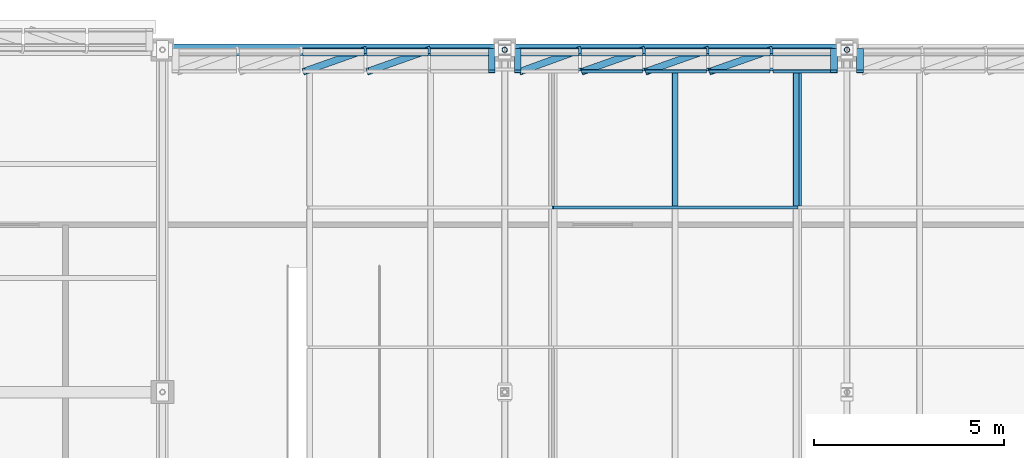
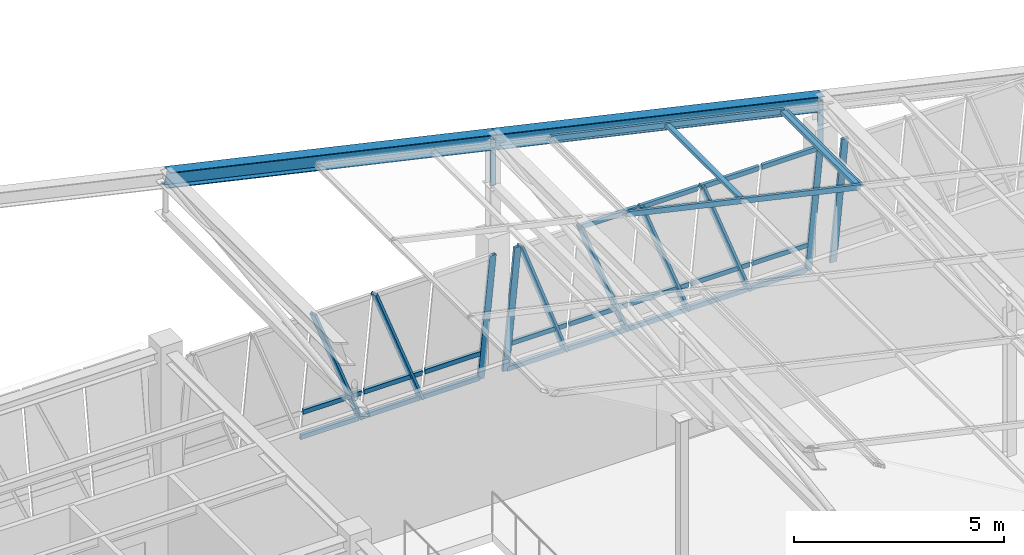
# One storey, part 78 of 130: 39 members, 5 elements without a shape of their own.
"""IFC4 building model written with IfcOpenShell, lengths in metres."""

from ifc_helpers import new_model, si_unit, direction, frame, origin, origin_2d, place, context, subcontext, project, spatial, hollow_rectangle, hollow_circle, i_section, extrude, material, material_profile, profile_set, type_object, element, aggregate, save


model = new_model("IFC4")

# Units and contexts
model_context = context("Model", 3, precision=1e-05, world=origin(), true_north=direction((0.0, 1.0)))
body_context = subcontext(model_context, "Body", "Model", "MODEL_VIEW")
ifc_project = project(units=[si_unit("LENGTHUNIT", "METRE"), si_unit("AREAUNIT", "SQUARE_METRE"), si_unit("VOLUMEUNIT", "CUBIC_METRE"), si_unit("PLANEANGLEUNIT", "RADIAN"), si_unit("MASSUNIT", "GRAM", prefix="KILO")], contexts=[model_context])

# Site, building, storey
site_placement = place(None, origin())
site = spatial("IfcSite", under=ifc_project, at=site_placement, CompositionType="ELEMENT")
building_placement = place(site_placement, origin())
building = spatial("IfcBuilding", under=site, at=building_placement, Name="Lykobir Media Centre", CompositionType="ELEMENT")
storey_placement = place(building_placement, frame((0.0, 0.0, 19.199951171875)))
storey = spatial("IfcBuildingStorey", under=building, at=storey_placement, Name="L04", CompositionType="ELEMENT", Elevation=19.199951171875)

# Members
ifc_material_1 = material(Name="Steel S355", Category="steel")
ifc_material_profile_1 = material_profile(ifc_material_1, hollow_circle(Radius=0.06982421875, WallThickness=0.008056640625, at=origin_2d()), Name="CHS 139.7x8.0")
ifc_profile_set_1 = profile_set([ifc_material_profile_1], Name="Steel S355")
member_type_1 = type_object("IfcMemberType", Name="BR-CHS140", PredefinedType="BRACE", material=ifc_profile_set_1)
for number, where, z_axis, x_axis, name in (
    (1, (54.0, 108.0, 6.860107421875), (0.0, 0.0, -1.0), (1.0, 0.0, 0.0), "Diagonal brace MEM2-L04-0540-1080-0261-0540-1080-0469"),
    (2, (63.0, 108.0, 4.820068359375), (0.0, 0.0, -1.0), (1.0, 0.0, 0.0), "Diagonal brace MEM2-L04-0630-1080-0240-0630-1080-0482"),
):
    element("IfcMember", number, at=place(storey_placement, frame(where, z_axis=z_axis, x_axis=x_axis)), inside=storey, type_object=member_type_1, Name=name, PredefinedType="BRACE", context=body_context, shape_type="SweptSolid", body=[
        extrude(hollow_circle(Radius=0.06982421875, WallThickness=0.008056640625, at=origin_2d()), origin(), (0.0, 0.0, 1.0), 1.35009765625),
    ])

# Curtain wall, members
ifc_material_2 = material(Name="Anodized Aluminium AW-6060", Category="aluminium")
curtain_wall_type_1 = type_object("IfcCurtainWallType", Name="CW-V6-CR4", PredefinedType="NOTDEFINED", material=ifc_material_2)
curtain_wall_1_placement = place(storey_placement, origin())
curtain_wall_1 = element("IfcCurtainWall", 3, at=curtain_wall_1_placement, inside=storey, type_object=curtain_wall_type_1, Name="Curtain wall CW2-L04-0164", PredefinedType="NOTDEFINED")
ifc_material_profile_2 = material_profile(ifc_material_2, hollow_rectangle(XDim=0.074951171875, YDim=0.179931640625, WallThickness=0.00390625, at=origin_2d()), Name="ALU MULLION 75x180")
ifc_profile_set_2 = profile_set([ifc_material_profile_2], Name="Anodized Aluminium AW-6060")
member_type_2 = type_object("IfcMemberType", Name="CWM-180", PredefinedType="MULLION", material=ifc_profile_set_2)
member_1_placement = place(storey_placement, frame((50.339111328125, 108.0, 0.0), z_axis=(-0.374628486657, -0.132268649053, 0.917691942573), x_axis=(0.865340676514, 0.305522527865, 0.397292711407)))
member_1 = element("IfcMember", 4, at=member_1_placement, type_object=member_type_2, Name="CW2-L04-0164 mullion 4", PredefinedType="MULLION", context=body_context, shape_type="SweptSolid", body=[
    extrude(hollow_rectangle(XDim=0.074951171875, YDim=0.179931640625, WallThickness=0.00390625, at=origin_2d()), origin(), (0.0, 0.0, 1.0), 4.293212890625),
])
member_2_placement = place(storey_placement, frame((52.01708984375, 108.0, 0.0), z_axis=(-0.374628486657, -0.132268649053, 0.917691942573), x_axis=(0.865340676514, 0.305522527865, 0.397292711407)))
member_2 = element("IfcMember", 5, at=member_2_placement, type_object=member_type_2, Name="CW2-L04-0164 mullion 5", PredefinedType="MULLION", context=body_context, shape_type="SweptSolid", body=[
    extrude(hollow_rectangle(XDim=0.074951171875, YDim=0.179931640625, WallThickness=0.00390625, at=origin_2d()), origin(), (0.0, 0.0, 1.0), 4.293212890625),
])
member_3_placement = place(storey_placement, frame((53.657470703125, 108.0, 0.0), z_axis=(0.0, -0.142657694389, 0.989772086003), x_axis=(0.0, 0.989772086003, 0.142657694389)))
member_3 = element("IfcMember", 6, at=member_3_placement, type_object=member_type_2, Name="CW2-L04-0164 mullion 6", PredefinedType="MULLION", context=body_context, shape_type="SweptSolid", body=[
    extrude(hollow_rectangle(XDim=0.074951171875, YDim=0.179931640625, WallThickness=0.00390625, at=origin_2d()), origin(), (0.0, 0.0, 1.0), 3.980712890625),
])

curtain_wall_2_placement = place(storey_placement, origin())
curtain_wall_2 = element("IfcCurtainWall", 7, at=curtain_wall_2_placement, inside=storey, type_object=curtain_wall_type_1, Name="Curtain wall CW2-L04-0165", PredefinedType="NOTDEFINED")
member_4_placement = place(storey_placement, frame((54.342529296875, 108.0, 0.0), z_axis=(0.0, -0.142657694389, 0.989772086003), x_axis=(0.0, 0.989772086003, 0.142657694389)))
member_4 = element("IfcMember", 8, at=member_4_placement, type_object=member_type_2, Name="CW2-L04-0165 mullion 1", PredefinedType="MULLION", context=body_context, shape_type="SweptSolid", body=[
    extrude(hollow_rectangle(XDim=0.074951171875, YDim=0.179931640625, WallThickness=0.00390625, at=origin_2d()), origin(), (0.0, 0.0, 1.0), 3.980712890625),
])
member_5_placement = place(storey_placement, frame((55.98291015625, 108.0, 0.0), z_axis=(-0.365976570158, -0.132760683435, 0.921105721961), x_axis=(0.86589329552, 0.314109139953, 0.389312533796)))
member_5 = element("IfcMember", 9, at=member_5_placement, type_object=member_type_2, Name="CW2-L04-0165 mullion 2", PredefinedType="MULLION", context=body_context, shape_type="SweptSolid", body=[
    extrude(hollow_rectangle(XDim=0.074951171875, YDim=0.179931640625, WallThickness=0.00390625, at=origin_2d()), origin(), (0.0, 0.0, 1.0), 4.27734375),
])
member_6_placement = place(storey_placement, frame((57.660888671875, 108.0, 0.0), z_axis=(-0.374579600655, -0.132271466696, 0.917711491631), x_axis=(0.865344548286, 0.305570277716, 0.397247552703)))
member_6 = element("IfcMember", 10, at=member_6_placement, type_object=member_type_2, Name="CW2-L04-0165 mullion 3", PredefinedType="MULLION", context=body_context, shape_type="SweptSolid", body=[
    extrude(hollow_rectangle(XDim=0.074951171875, YDim=0.179931640625, WallThickness=0.00390625, at=origin_2d()), origin(), (0.0, 0.0, 1.0), 4.293212890625),
])
member_7_placement = place(storey_placement, frame((59.339111328125, 108.0, 0.0), z_axis=(-0.374628486657, -0.132268649053, 0.917691942573), x_axis=(0.865340676514, 0.305522527865, 0.397292711407)))
member_7 = element("IfcMember", 11, at=member_7_placement, type_object=member_type_2, Name="CW2-L04-0165 mullion 4", PredefinedType="MULLION", context=body_context, shape_type="SweptSolid", body=[
    extrude(hollow_rectangle(XDim=0.074951171875, YDim=0.179931640625, WallThickness=0.00390625, at=origin_2d()), origin(), (0.0, 0.0, 1.0), 4.293212890625),
])
member_8_placement = place(storey_placement, frame((61.01708984375, 108.0, 0.0), z_axis=(-0.374628486657, -0.132268649053, 0.917691942573), x_axis=(0.865340676514, 0.305522527865, 0.397292711407)))
member_8 = element("IfcMember", 12, at=member_8_placement, type_object=member_type_2, Name="CW2-L04-0165 mullion 5", PredefinedType="MULLION", context=body_context, shape_type="SweptSolid", body=[
    extrude(hollow_rectangle(XDim=0.074951171875, YDim=0.179931640625, WallThickness=0.00390625, at=origin_2d()), origin(), (0.0, 0.0, 1.0), 4.293212890625),
])
member_9_placement = place(storey_placement, frame((62.657470703125, 108.0, 0.0), z_axis=(0.0, -0.142657694389, 0.989772086003), x_axis=(0.0, 0.989772086003, 0.142657694389)))
member_9 = element("IfcMember", 13, at=member_9_placement, type_object=member_type_2, Name="CW2-L04-0165 mullion 6", PredefinedType="MULLION", context=body_context, shape_type="SweptSolid", body=[
    extrude(hollow_rectangle(XDim=0.074951171875, YDim=0.179931640625, WallThickness=0.00390625, at=origin_2d()), origin(), (0.0, 0.0, 1.0), 3.980712890625),
])

# Curtain wall, member
curtain_wall_3_placement = place(storey_placement, origin())
curtain_wall_3 = element("IfcCurtainWall", 14, at=curtain_wall_3_placement, inside=storey, type_object=curtain_wall_type_1, Name="Curtain wall CW2-L04-0166", PredefinedType="NOTDEFINED")
member_10_placement = place(storey_placement, frame((63.342529296875, 108.0, 0.0), z_axis=(0.0, -0.142657694389, 0.989772086003), x_axis=(0.0, 0.989772086003, 0.142657694389)))
member_10 = element("IfcMember", 15, at=member_10_placement, type_object=member_type_2, Name="CW2-L04-0166 mullion 1", PredefinedType="MULLION", context=body_context, shape_type="SweptSolid", body=[
    extrude(hollow_rectangle(XDim=0.074951171875, YDim=0.179931640625, WallThickness=0.00390625, at=origin_2d()), origin(), (0.0, 0.0, 1.0), 3.980712890625),
])
aggregate(curtain_wall_3, [member_10])

# Member
ifc_material_profile_3 = material_profile(ifc_material_2, hollow_rectangle(XDim=0.074951171875, YDim=0.14990234375, WallThickness=0.00341796875, at=origin_2d()), Name="ALU TRANSOM 75x150")
ifc_profile_set_3 = profile_set([ifc_material_profile_3], Name="Anodized Aluminium AW-6060")
member_type_3 = type_object("IfcMemberType", Name="CWT-150", PredefinedType="USERDEFINED", material=ifc_profile_set_3)
member_11_placement = place(storey_placement, frame((48.698486328125, 107.99462890625, 0.037109375), z_axis=(1.0, 0.0, 0.0), x_axis=(0.0, 0.989776230908, 0.142628933706)))
member_11 = element("IfcMember", 16, at=member_11_placement, type_object=member_type_3, Name="CW2-L04-0164 transom 3.1", ObjectType="TRANSOM", PredefinedType="USERDEFINED", context=body_context, shape_type="SweptSolid", body=[
    extrude(hollow_rectangle(XDim=0.074951171875, YDim=0.14990234375, WallThickness=0.00341796875, at=origin_2d()), origin(), (0.0, 0.0, 1.0), 1.60302734375),
])

member_12_placement = place(storey_placement, frame((48.698486328125, 107.87890625, 0.84130859375), z_axis=(1.0, 0.0, 0.0), x_axis=(0.0, 0.989776230908, 0.142628933706)))
member_12 = element("IfcMember", 17, at=member_12_placement, type_object=member_type_3, Name="CW2-L04-0164 transom 3.2", ObjectType="TRANSOM", PredefinedType="USERDEFINED", context=body_context, shape_type="SweptSolid", body=[
    extrude(hollow_rectangle(XDim=0.074951171875, YDim=0.14990234375, WallThickness=0.00341796875, at=origin_2d()), origin(), (0.0, 0.0, 1.0), 1.60302734375),
])

member_13_placement = place(storey_placement, frame((50.37646484375, 107.99462890625, 0.037109375), z_axis=(1.0, 0.0, 0.0), x_axis=(0.0, 0.989776230908, 0.142628933706)))
member_13 = element("IfcMember", 18, at=member_13_placement, type_object=member_type_3, Name="CW2-L04-0164 transom 4.1", ObjectType="TRANSOM", PredefinedType="USERDEFINED", context=body_context, shape_type="SweptSolid", body=[
    extrude(hollow_rectangle(XDim=0.074951171875, YDim=0.14990234375, WallThickness=0.00341796875, at=origin_2d()), origin(), (0.0, 0.0, 1.0), 1.60302734375),
])

member_14_placement = place(storey_placement, frame((50.37646484375, 107.87890625, 0.84130859375), z_axis=(1.0, 0.0, 0.0), x_axis=(0.0, 0.989776230908, 0.142628933706)))
member_14 = element("IfcMember", 19, at=member_14_placement, type_object=member_type_3, Name="CW2-L04-0164 transom 4.2", ObjectType="TRANSOM", PredefinedType="USERDEFINED", context=body_context, shape_type="SweptSolid", body=[
    extrude(hollow_rectangle(XDim=0.074951171875, YDim=0.14990234375, WallThickness=0.00341796875, at=origin_2d()), origin(), (0.0, 0.0, 1.0), 1.60302734375),
])

member_15_placement = place(storey_placement, frame((52.054443359375, 107.99462890625, 0.037109375), z_axis=(1.0, 0.0, 0.0), x_axis=(0.0, 0.989776230908, 0.142628933706)))
member_15 = element("IfcMember", 20, at=member_15_placement, type_object=member_type_3, Name="CW2-L04-0164 transom 5.1", ObjectType="TRANSOM", PredefinedType="USERDEFINED", context=body_context, shape_type="SweptSolid", body=[
    extrude(hollow_rectangle(XDim=0.074951171875, YDim=0.14990234375, WallThickness=0.00341796875, at=origin_2d()), origin(), (0.0, 0.0, 1.0), 1.565673828125),
])

member_16_placement = place(storey_placement, frame((52.054443359375, 107.87890625, 0.84130859375), z_axis=(1.0, 0.0, 0.0), x_axis=(0.0, 0.989776230908, 0.142628933706)))
member_16 = element("IfcMember", 21, at=member_16_placement, type_object=member_type_3, Name="CW2-L04-0164 transom 5.2", ObjectType="TRANSOM", PredefinedType="USERDEFINED", context=body_context, shape_type="SweptSolid", body=[
    extrude(hollow_rectangle(XDim=0.074951171875, YDim=0.14990234375, WallThickness=0.00341796875, at=origin_2d()), origin(), (0.0, 0.0, 1.0), 1.565673828125),
])

aggregate(curtain_wall_1, [member_1, member_2, member_3, member_11, member_12, member_13, member_14, member_15, member_16])

member_17_placement = place(storey_placement, frame((54.3798828125, 107.99462890625, 0.037109375), z_axis=(1.0, 0.0, 0.0), x_axis=(0.0, 0.989776230908, 0.142628933706)))
member_17 = element("IfcMember", 22, at=member_17_placement, type_object=member_type_3, Name="CW2-L04-0165 transom 1.1", ObjectType="TRANSOM", PredefinedType="USERDEFINED", context=body_context, shape_type="SweptSolid", body=[
    extrude(hollow_rectangle(XDim=0.074951171875, YDim=0.14990234375, WallThickness=0.00341796875, at=origin_2d()), origin(), (0.0, 0.0, 1.0), 1.565673828125),
])

member_18_placement = place(storey_placement, frame((54.3798828125, 107.87890625, 0.84130859375), z_axis=(1.0, 0.0, 0.0), x_axis=(0.0, 0.989776230908, 0.142628933706)))
member_18 = element("IfcMember", 23, at=member_18_placement, type_object=member_type_3, Name="CW2-L04-0165 transom 1.2", ObjectType="TRANSOM", PredefinedType="USERDEFINED", context=body_context, shape_type="SweptSolid", body=[
    extrude(hollow_rectangle(XDim=0.074951171875, YDim=0.14990234375, WallThickness=0.00341796875, at=origin_2d()), origin(), (0.0, 0.0, 1.0), 1.565673828125),
])

member_19_placement = place(storey_placement, frame((56.0205078125, 107.99462890625, 0.037109375), z_axis=(1.0, 0.0, 0.0), x_axis=(0.0, 0.989776230908, 0.142628933706)))
member_19 = element("IfcMember", 24, at=member_19_placement, type_object=member_type_3, Name="CW2-L04-0165 transom 2.1", ObjectType="TRANSOM", PredefinedType="USERDEFINED", context=body_context, shape_type="SweptSolid", body=[
    extrude(hollow_rectangle(XDim=0.074951171875, YDim=0.14990234375, WallThickness=0.00341796875, at=origin_2d()), origin(), (0.0, 0.0, 1.0), 1.60302734375),
])

member_20_placement = place(storey_placement, frame((56.0205078125, 107.87890625, 0.84130859375), z_axis=(1.0, 0.0, 0.0), x_axis=(0.0, 0.989776230908, 0.142628933706)))
member_20 = element("IfcMember", 25, at=member_20_placement, type_object=member_type_3, Name="CW2-L04-0165 transom 2.2", ObjectType="TRANSOM", PredefinedType="USERDEFINED", context=body_context, shape_type="SweptSolid", body=[
    extrude(hollow_rectangle(XDim=0.074951171875, YDim=0.14990234375, WallThickness=0.00341796875, at=origin_2d()), origin(), (0.0, 0.0, 1.0), 1.60302734375),
])

member_21_placement = place(storey_placement, frame((56.0205078125, 107.4375, 3.90283203125), z_axis=(1.0, 0.0, 0.0), x_axis=(0.0, 0.989776230908, 0.142628933706)))
member_21 = element("IfcMember", 26, at=member_21_placement, type_object=member_type_3, Name="CW2-L04-0165 transom 2.3", ObjectType="TRANSOM", PredefinedType="USERDEFINED", context=body_context, shape_type="SweptSolid", body=[
    extrude(hollow_rectangle(XDim=0.074951171875, YDim=0.14990234375, WallThickness=0.00341796875, at=origin_2d()), origin(), (0.0, 0.0, 1.0), 1.60302734375),
])

member_22_placement = place(storey_placement, frame((57.698486328125, 107.99462890625, 0.037109375), z_axis=(1.0, 0.0, 0.0), x_axis=(0.0, 0.989776230908, 0.142628933706)))
member_22 = element("IfcMember", 27, at=member_22_placement, type_object=member_type_3, Name="CW2-L04-0165 transom 3.1", ObjectType="TRANSOM", PredefinedType="USERDEFINED", context=body_context, shape_type="SweptSolid", body=[
    extrude(hollow_rectangle(XDim=0.074951171875, YDim=0.14990234375, WallThickness=0.00341796875, at=origin_2d()), origin(), (0.0, 0.0, 1.0), 1.60302734375),
])

member_23_placement = place(storey_placement, frame((57.698486328125, 107.87890625, 0.84130859375), z_axis=(1.0, 0.0, 0.0), x_axis=(0.0, 0.989776230908, 0.142628933706)))
member_23 = element("IfcMember", 28, at=member_23_placement, type_object=member_type_3, Name="CW2-L04-0165 transom 3.2", ObjectType="TRANSOM", PredefinedType="USERDEFINED", context=body_context, shape_type="SweptSolid", body=[
    extrude(hollow_rectangle(XDim=0.074951171875, YDim=0.14990234375, WallThickness=0.00341796875, at=origin_2d()), origin(), (0.0, 0.0, 1.0), 1.60302734375),
])

member_24_placement = place(storey_placement, frame((57.698486328125, 107.4375, 3.90283203125), z_axis=(1.0, 0.0, 0.0), x_axis=(0.0, 0.989776230908, 0.142628933706)))
member_24 = element("IfcMember", 29, at=member_24_placement, type_object=member_type_3, Name="CW2-L04-0165 transom 3.3", ObjectType="TRANSOM", PredefinedType="USERDEFINED", context=body_context, shape_type="SweptSolid", body=[
    extrude(hollow_rectangle(XDim=0.074951171875, YDim=0.14990234375, WallThickness=0.00341796875, at=origin_2d()), origin(), (0.0, 0.0, 1.0), 1.60302734375),
])

member_25_placement = place(storey_placement, frame((59.37646484375, 107.99462890625, 0.037109375), z_axis=(1.0, 0.0, 0.0), x_axis=(0.0, 0.989776230908, 0.142628933706)))
member_25 = element("IfcMember", 30, at=member_25_placement, type_object=member_type_3, Name="CW2-L04-0165 transom 4.1", ObjectType="TRANSOM", PredefinedType="USERDEFINED", context=body_context, shape_type="SweptSolid", body=[
    extrude(hollow_rectangle(XDim=0.074951171875, YDim=0.14990234375, WallThickness=0.00341796875, at=origin_2d()), origin(), (0.0, 0.0, 1.0), 1.60302734375),
])

member_26_placement = place(storey_placement, frame((59.37646484375, 107.87890625, 0.84130859375), z_axis=(1.0, 0.0, 0.0), x_axis=(0.0, 0.989776230908, 0.142628933706)))
member_26 = element("IfcMember", 31, at=member_26_placement, type_object=member_type_3, Name="CW2-L04-0165 transom 4.2", ObjectType="TRANSOM", PredefinedType="USERDEFINED", context=body_context, shape_type="SweptSolid", body=[
    extrude(hollow_rectangle(XDim=0.074951171875, YDim=0.14990234375, WallThickness=0.00341796875, at=origin_2d()), origin(), (0.0, 0.0, 1.0), 1.60302734375),
])

member_27_placement = place(storey_placement, frame((59.37646484375, 107.4375, 3.90283203125), z_axis=(1.0, 0.0, 0.0), x_axis=(0.0, 0.989776230908, 0.142628933706)))
member_27 = element("IfcMember", 32, at=member_27_placement, type_object=member_type_3, Name="CW2-L04-0165 transom 4.3", ObjectType="TRANSOM", PredefinedType="USERDEFINED", context=body_context, shape_type="SweptSolid", body=[
    extrude(hollow_rectangle(XDim=0.074951171875, YDim=0.14990234375, WallThickness=0.00341796875, at=origin_2d()), origin(), (0.0, 0.0, 1.0), 1.60302734375),
])

member_28_placement = place(storey_placement, frame((61.054443359375, 107.99462890625, 0.037109375), z_axis=(1.0, 0.0, 0.0), x_axis=(0.0, 0.989776230908, 0.142628933706)))
member_28 = element("IfcMember", 33, at=member_28_placement, type_object=member_type_3, Name="CW2-L04-0165 transom 5.1", ObjectType="TRANSOM", PredefinedType="USERDEFINED", context=body_context, shape_type="SweptSolid", body=[
    extrude(hollow_rectangle(XDim=0.074951171875, YDim=0.14990234375, WallThickness=0.00341796875, at=origin_2d()), origin(), (0.0, 0.0, 1.0), 1.565673828125),
])

member_29_placement = place(storey_placement, frame((61.054443359375, 107.87890625, 0.84130859375), z_axis=(1.0, 0.0, 0.0), x_axis=(0.0, 0.989776230908, 0.142628933706)))
member_29 = element("IfcMember", 34, at=member_29_placement, type_object=member_type_3, Name="CW2-L04-0165 transom 5.2", ObjectType="TRANSOM", PredefinedType="USERDEFINED", context=body_context, shape_type="SweptSolid", body=[
    extrude(hollow_rectangle(XDim=0.074951171875, YDim=0.14990234375, WallThickness=0.00341796875, at=origin_2d()), origin(), (0.0, 0.0, 1.0), 1.565673828125),
])

member_30_placement = place(storey_placement, frame((61.054443359375, 107.4375, 3.90283203125), z_axis=(1.0, 0.0, 0.0), x_axis=(0.0, 0.989776230908, 0.142628933706)))
member_30 = element("IfcMember", 35, at=member_30_placement, type_object=member_type_3, Name="CW2-L04-0165 transom 5.3", ObjectType="TRANSOM", PredefinedType="USERDEFINED", context=body_context, shape_type="SweptSolid", body=[
    extrude(hollow_rectangle(XDim=0.074951171875, YDim=0.14990234375, WallThickness=0.00341796875, at=origin_2d()), origin(), (0.0, 0.0, 1.0), 1.565673828125),
])

aggregate(curtain_wall_2, [member_4, member_5, member_6, member_7, member_8, member_9, member_17, member_18, member_19, member_20, member_21, member_22, member_23, member_24, member_25, member_26, member_27, member_28, member_29, member_30])

# Curtain wall, member
curtain_wall_type_2 = type_object("IfcCurtainWallType", Name="CW-V6-SKY", PredefinedType="NOTDEFINED", material=ifc_material_2)
curtain_wall_4_placement = place(storey_placement, origin())
curtain_wall_4 = element("IfcCurtainWall", 36, at=curtain_wall_4_placement, inside=storey, type_object=curtain_wall_type_2, Name="Curtain wall CW-V6-SKY03", PredefinedType="NOTDEFINED")
member_31_placement = place(storey_placement, frame((61.728515625, 107.445068359375, 5.2646484375), z_axis=(0.0, -1.0, 0.0), x_axis=(0.221054901821, 0.0, 0.975261365164)))
member_31 = element("IfcMember", 37, at=member_31_placement, type_object=member_type_3, Name="CW-V6-SKY03 transom 1.3", ObjectType="TRANSOM", PredefinedType="USERDEFINED", context=body_context, shape_type="SweptSolid", body=[
    extrude(hollow_rectangle(XDim=0.074951171875, YDim=0.14990234375, WallThickness=0.00341796875, at=origin_2d()), origin(), (0.0, 0.0, 1.0), 3.5576171875),
])
aggregate(curtain_wall_4, [member_31])

# Curtain wall, members
curtain_wall_5_placement = place(storey_placement, origin())
curtain_wall_5 = element("IfcCurtainWall", 38, at=curtain_wall_5_placement, inside=storey, type_object=curtain_wall_type_2, Name="Curtain wall CW-V6-SKY04", PredefinedType="NOTDEFINED")
member_32_placement = place(storey_placement, frame((61.69189453125, 107.482421875, 5.27294921875), z_axis=(-0.975255318588, 0.0, 0.221081576721), x_axis=(0.0, -1.0, 0.0)))
member_32 = element("IfcMember", 39, at=member_32_placement, type_object=member_type_3, Name="CW-V6-SKY04 rafter transom 1", ObjectType="TRANSOM", PredefinedType="USERDEFINED", context=body_context, shape_type="SweptSolid", body=[
    extrude(hollow_rectangle(XDim=0.074951171875, YDim=0.14990234375, WallThickness=0.00341796875, at=origin_2d()), origin(), (0.0, 0.0, 1.0), 6.591552734375),
])
member_33_placement = place(storey_placement, frame((61.69189453125, 103.85009765625, 5.27294921875), z_axis=(-0.975255318588, 0.0, 0.221081576721), x_axis=(0.0, -1.0, 0.0)))
member_33 = element("IfcMember", 40, at=member_33_placement, type_object=member_type_3, Name="CW-V6-SKY04 rafter transom 2", ObjectType="TRANSOM", PredefinedType="USERDEFINED", context=body_context, shape_type="SweptSolid", body=[
    extrude(hollow_rectangle(XDim=0.074951171875, YDim=0.14990234375, WallThickness=0.00341796875, at=origin_2d()), origin(), (0.0, 0.0, 1.0), 6.591552734375),
])
member_34_placement = place(storey_placement, frame((61.655517578125, 107.445068359375, 5.28125), z_axis=(0.0, -1.0, 0.0), x_axis=(0.221071923309, 0.0, 0.975257506879)))
member_34 = element("IfcMember", 41, at=member_34_placement, type_object=member_type_3, Name="CW-V6-SKY04 transom 1.1", ObjectType="TRANSOM", PredefinedType="USERDEFINED", context=body_context, shape_type="SweptSolid", body=[
    extrude(hollow_rectangle(XDim=0.074951171875, YDim=0.14990234375, WallThickness=0.00341796875, at=origin_2d()), origin(), (0.0, 0.0, 1.0), 3.5576171875),
])
member_35_placement = place(storey_placement, frame((58.477783203125, 107.445068359375, 6.00146484375), z_axis=(0.0, -1.0, 0.0), x_axis=(0.221071923309, 0.0, 0.975257506879)))
member_35 = element("IfcMember", 42, at=member_35_placement, type_object=member_type_3, Name="CW-V6-SKY04 transom 1.2", ObjectType="TRANSOM", PredefinedType="USERDEFINED", context=body_context, shape_type="SweptSolid", body=[
    extrude(hollow_rectangle(XDim=0.074951171875, YDim=0.14990234375, WallThickness=0.00341796875, at=origin_2d()), origin(), (0.0, 0.0, 1.0), 3.5576171875),
])
aggregate(curtain_wall_5, [member_32, member_33, member_34, member_35])

# Members
ifc_material_profile_4 = material_profile(ifc_material_1, i_section(OverallWidth=0.300048828125, OverallDepth=0.43994140625, WebThickness=0.011474609375, FlangeThickness=0.02099609375, at=origin_2d()), Name="HEA 450")
ifc_profile_set_4 = profile_set([ifc_material_profile_4], Name="Steel S355")
member_type_4 = type_object("IfcMemberType", Name="TC-HEA450-E", PredefinedType="CHORD", material=ifc_profile_set_4)
for number, where, z_axis, x_axis, name in (
    (43, (45.0, 108.0, 8.860107421875), (0.975259516727, 0.0, -0.221063056689), (0.0, 1.0, 0.0), "Truss chord MEM2-L04-0450-1080-0281-0540-1080-0427"),
    (44, (54.0, 108.0, 6.820068359375), (0.975259516727, 0.0, -0.221063056689), (0.0, 1.0, 0.0), "Truss chord MEM2-L04-0540-1080-0260-0630-1080-0428"),
):
    element("IfcMember", number, at=place(storey_placement, frame(where, z_axis=z_axis, x_axis=x_axis)), inside=storey, type_object=member_type_4, Name=name, PredefinedType="CHORD", context=body_context, shape_type="SweptSolid", body=[
        extrude(i_section(OverallWidth=0.300048828125, OverallDepth=0.43994140625, WebThickness=0.011474609375, FlangeThickness=0.02099609375, at=origin_2d()), origin(), (0.0, 0.0, 1.0), 9.228271484375),
    ])

save(model, "model.ifc")
